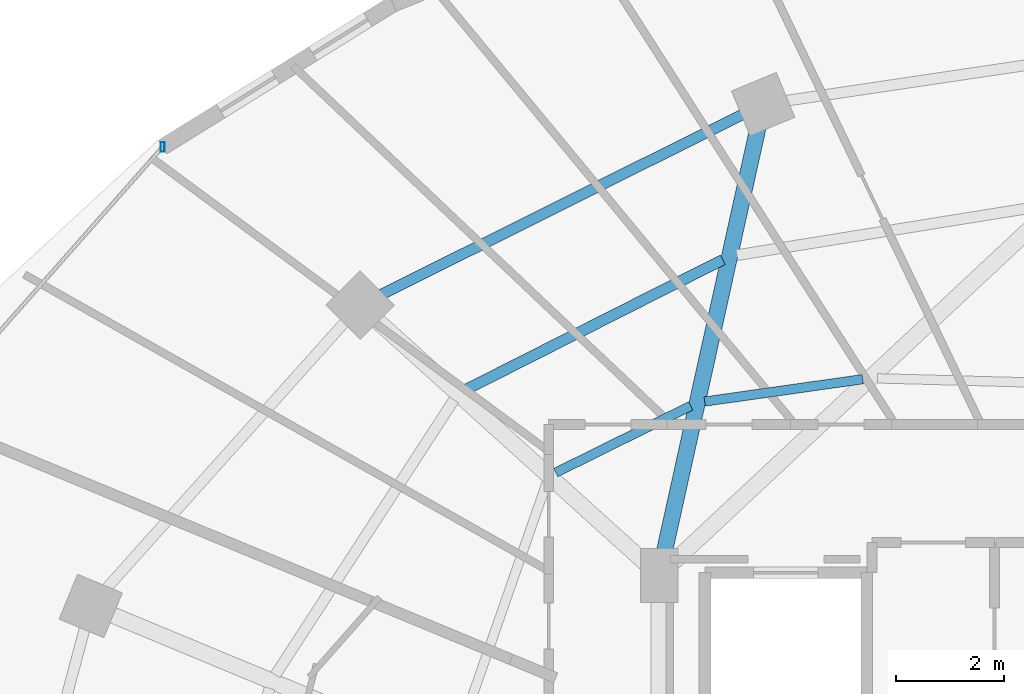
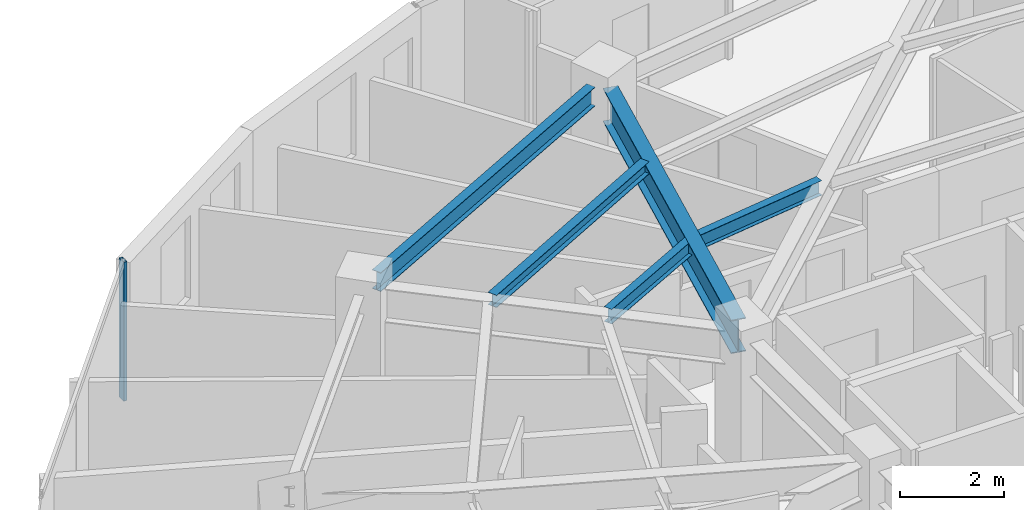
# One storey, part 17 of 33: 5 beams, 1 member, 1 element without a shape of its own.
"""IFC4 building model written with IfcOpenShell, lengths in metres."""

from ifc_helpers import new_model, si_unit, direction, frame, origin, origin_2d, place, context, subcontext, project, spatial, hollow_rectangle, i_section, extrude, material, material_profile, profile_set, type_object, element, aggregate, save


model = new_model("IFC4")

# Units and contexts
model_context = context("Model", 3, precision=1e-05, world=origin(), true_north=direction((0.0, 1.0)))
body_context = subcontext(model_context, "Body", "Model", "MODEL_VIEW")
ifc_project = project(units=[si_unit("LENGTHUNIT", "METRE"), si_unit("AREAUNIT", "SQUARE_METRE"), si_unit("VOLUMEUNIT", "CUBIC_METRE"), si_unit("PLANEANGLEUNIT", "RADIAN"), si_unit("MASSUNIT", "GRAM", prefix="KILO")], contexts=[model_context])

# Site, building, storey
site_placement = place(None, origin())
site = spatial("IfcSite", under=ifc_project, at=site_placement, CompositionType="ELEMENT")
building_placement = place(site_placement, origin())
building = spatial("IfcBuilding", under=site, at=building_placement, Name="Vorneva Point Tower", CompositionType="ELEMENT")
storey_placement = place(building_placement, frame((0.0, 0.0, 221.39990234375)))
storey = spatial("IfcBuildingStorey", under=building, at=storey_placement, Name="L60", CompositionType="ELEMENT", Elevation=221.39990234375)

# Beams
ifc_material_1 = material(Name="Steel S355", Category="steel")
ifc_material_profile_1 = material_profile(ifc_material_1, i_section(OverallWidth=0.300048828125, OverallDepth=0.7880859375, WebThickness=0.014404296875, FlangeThickness=0.02197265625, at=origin_2d()), Name="80Sh1")
ifc_profile_set_1 = profile_set([ifc_material_profile_1], Name="Steel S355")
beam_type_1 = type_object("IfcBeamType", Name="BM-GRD-80Sh1", PredefinedType="USERDEFINED", material=ifc_profile_set_1)
beam_1_placement = place(storey_placement, frame((29.084716796875, 41.462890625, 2.80615234375), z_axis=(-0.215522758292, -0.976498817541, 0.0), x_axis=(0.976498817541, -0.215522758292, 0.0)))
element("IfcBeam", 1, at=beam_1_placement, inside=storey, type_object=beam_type_1, Name="L60 Radial Primary Girder 06", ObjectType="GIRDER", PredefinedType="USERDEFINED", context=body_context, shape_type="SweptSolid", body=[
    extrude(i_section(OverallWidth=0.300048828125, OverallDepth=0.7880859375, WebThickness=0.014404296875, FlangeThickness=0.02197265625, at=origin_2d()), origin(), (0.0, 0.0, 1.0), 8.173095703125),
])
ifc_material_profile_2 = material_profile(ifc_material_1, i_section(OverallWidth=0.199951171875, OverallDepth=0.291015625, WebThickness=0.008056640625, FlangeThickness=0.010986328125, at=origin_2d()), Name="30Sh1")
ifc_profile_set_2 = profile_set([ifc_material_profile_2], Name="Steel S355")
beam_type_2 = type_object("IfcBeamType", Name="BM-SEC-30Sh1", PredefinedType="BEAM", material=ifc_profile_set_2)
beam_2_placement = place(storey_placement, frame((28.43310546875, 39.00634765625, 3.0546875), z_axis=(-0.892445275424, -0.451155660912, 0.0), x_axis=(0.451155660912, -0.892445275424, 0.0)))
element("IfcBeam", 2, at=beam_2_placement, inside=storey, type_object=beam_type_2, Name="L60 Secondary Floor Beam 1.06", PredefinedType="BEAM", context=body_context, shape_type="SweptSolid", body=[
    extrude(i_section(OverallWidth=0.199951171875, OverallDepth=0.291015625, WebThickness=0.008056640625, FlangeThickness=0.010986328125, at=origin_2d()), origin(), (0.0, 0.0, 1.0), 5.369873046875),
])
ifc_material_profile_3 = material_profile(ifc_material_1, i_section(OverallWidth=0.174072265625, OverallDepth=0.345947265625, WebThickness=0.006103515625, FlangeThickness=0.009033203125, at=origin_2d()), Name="35B1")
ifc_profile_set_3 = profile_set([ifc_material_profile_3], Name="Steel S355")
beam_type_3 = type_object("IfcBeamType", Name="BM-SEC-35B1", PredefinedType="BEAM", material=ifc_profile_set_3)
beam_3_placement = place(storey_placement, frame((31.027099609375, 36.78955078125, 3.027099609375), z_axis=(-0.990136526525, -0.140105884393, 0.0), x_axis=(0.140105884393, -0.990136526525, 0.0)))
element("IfcBeam", 3, at=beam_3_placement, inside=storey, type_object=beam_type_3, Name="L60 Secondary Floor Beam 2.05", PredefinedType="BEAM", context=body_context, shape_type="SweptSolid", body=[
    extrude(i_section(OverallWidth=0.174072265625, OverallDepth=0.345947265625, WebThickness=0.006103515625, FlangeThickness=0.009033203125, at=origin_2d()), origin(), (0.0, 0.0, 1.0), 2.96240234375),
])
beam_4_placement = place(storey_placement, frame((27.833740234375, 36.2939453125, 3.027099609375), z_axis=(-0.896290822353, -0.443466753845, 0.0), x_axis=(0.443466753845, -0.896290822353, 0.0)))
element("IfcBeam", 4, at=beam_4_placement, inside=storey, type_object=beam_type_3, Name="L60 Secondary Floor Beam 2.06", PredefinedType="BEAM", context=body_context, shape_type="SweptSolid", body=[
    extrude(i_section(OverallWidth=0.174072265625, OverallDepth=0.345947265625, WebThickness=0.006103515625, FlangeThickness=0.009033203125, at=origin_2d()), origin(), (0.0, 0.0, 1.0), 2.791748046875),
])
ifc_material_profile_4 = material_profile(ifc_material_1, i_section(OverallWidth=0.198974609375, OverallDepth=0.446044921875, WebThickness=0.008056640625, FlangeThickness=0.011962890625, at=origin_2d()), Name="45B1")
ifc_profile_set_4 = profile_set([ifc_material_profile_4], Name="Steel S355")
beam_type_4 = type_object("IfcBeamType", Name="BM-SPN-45B1", PredefinedType="SPANDREL", material=ifc_profile_set_4)
beam_5_placement = place(storey_placement, frame((28.789794921875, 41.696533203125, 2.97705078125), z_axis=(-0.894922371084, -0.446221861559, 0.0), x_axis=(0.446221861559, -0.894922371084, 0.0)))
element("IfcBeam", 5, at=beam_5_placement, inside=storey, type_object=beam_type_4, Name="L60 Perimeter Spandrel Ring Beam 06", PredefinedType="SPANDREL", context=body_context, shape_type="SweptSolid", body=[
    extrude(i_section(OverallWidth=0.198974609375, OverallDepth=0.446044921875, WebThickness=0.008056640625, FlangeThickness=0.011962890625, at=origin_2d()), origin(), (0.0, 0.0, 1.0), 7.48583984375),
])

# Curtain wall, member
ifc_material_2 = material(Name="Pale anodised aluminium", Category="aluminium")
curtain_wall_type = type_object("IfcCurtainWallType", Name="CW-RES-SYS", PredefinedType="NOTDEFINED", material=ifc_material_2)
curtain_wall_placement = place(storey_placement, origin())
curtain_wall = element("IfcCurtainWall", 6, at=curtain_wall_placement, inside=storey, type_object=curtain_wall_type, Name="L60 Unitised Curtain Wall CW-L60-R02", PredefinedType="NOTDEFINED")
ifc_material_profile_5 = material_profile(ifc_material_2, hollow_rectangle(XDim=0.074951171875, YDim=0.179931640625, WallThickness=0.00390625, at=origin_2d()), Name="AL-MUL 180x75x4")
ifc_profile_set_5 = profile_set([ifc_material_profile_5], Name="Pale anodised aluminium")
member_type = type_object("IfcMemberType", Name="CW-MUL-180", PredefinedType="MULLION", material=ifc_profile_set_5)
member_placement = place(storey_placement, frame((18.038330078125, 41.0966796875, -0.039794921875), z_axis=(0.0, 0.0, 1.0), x_axis=(1.0, 0.0, 0.0)))
member = element("IfcMember", 7, at=member_placement, type_object=member_type, Name="CW-L60-R02 Mullion 01", PredefinedType="MULLION", context=body_context, shape_type="SweptSolid", body=[
    extrude(hollow_rectangle(XDim=0.074951171875, YDim=0.179931640625, WallThickness=0.00390625, at=origin_2d()), origin(), (0.0, 0.0, 1.0), 3.269775390625),
])
aggregate(curtain_wall, [member])

save(model, "model.ifc")
